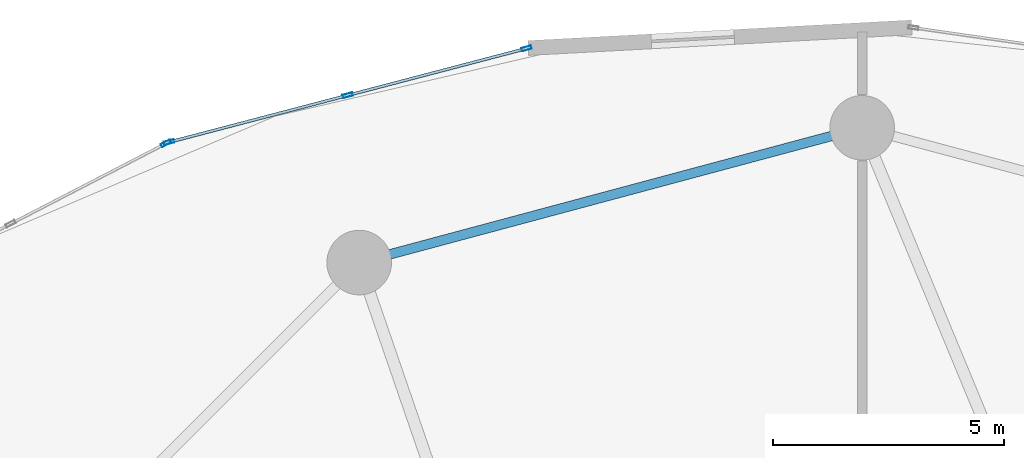
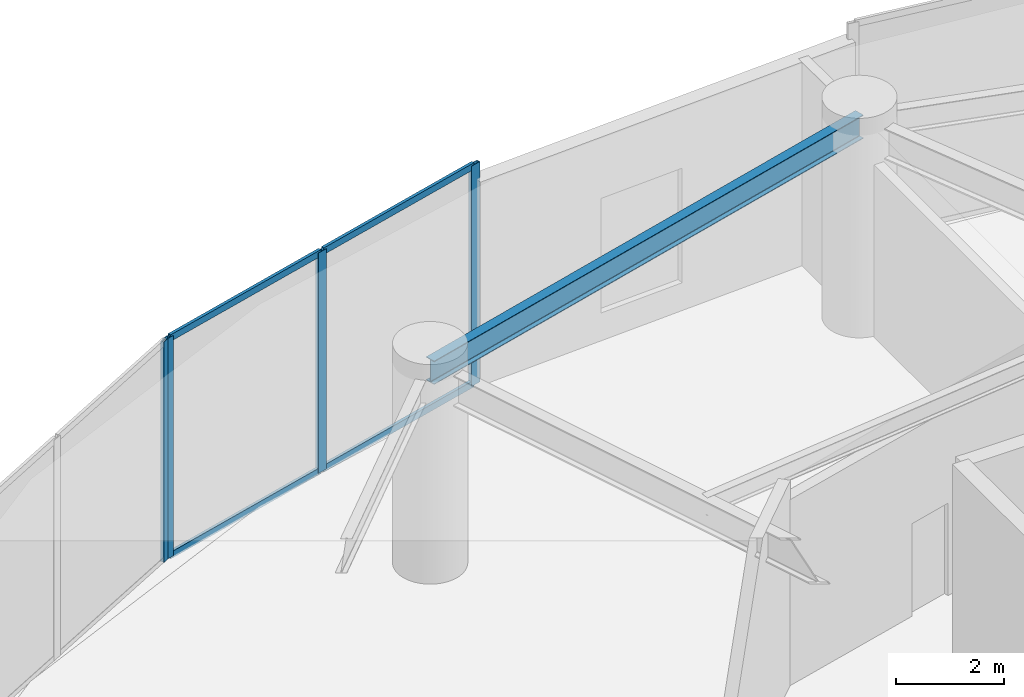
# One storey, part 18 of 31: 8 members, 1 beam, 2 elements without a shape of their own.
"""IFC4 building model written with IfcOpenShell, lengths in metres."""

from ifc_helpers import new_model, si_unit, direction, frame, origin, origin_2d, place, context, subcontext, project, spatial, hollow_rectangle, i_section, extrude, source, transform, mapped, material, layer, layer_set, material_profile, profile_set, type_object, element, aggregate, save


model = new_model("IFC4")

# Units and contexts
model_context = context("Model", 3, precision=1e-05, world=origin(), true_north=direction((0.0, 1.0)))
body_context = subcontext(model_context, "Body", "Model", "MODEL_VIEW")
ifc_project = project(units=[si_unit("LENGTHUNIT", "METRE"), si_unit("AREAUNIT", "SQUARE_METRE"), si_unit("VOLUMEUNIT", "CUBIC_METRE"), si_unit("PLANEANGLEUNIT", "RADIAN"), si_unit("MASSUNIT", "GRAM", prefix="KILO")], contexts=[model_context])

# Site, building, storey
site_placement = place(None, origin())
site = spatial("IfcSite", under=ifc_project, at=site_placement, CompositionType="ELEMENT")
building_placement = place(site_placement, origin())
building = spatial("IfcBuilding", under=site, at=building_placement, Name="Solvirekh Grand Hotel", CompositionType="ELEMENT")
storey_placement = place(building_placement, frame((0.0, 0.0, 18.60009765625)))
storey = spatial("IfcBuildingStorey", under=building, at=storey_placement, Name="L03", CompositionType="ELEMENT", Elevation=18.60009765625)

# Beam
ifc_material_1 = material(Name="Steel S355", Category="steel")
ifc_material_profile_1 = material_profile(ifc_material_1, i_section(OverallWidth=0.208984375, OverallDepth=0.532958984375, WebThickness=0.010009765625, FlangeThickness=0.014892578125, FilletRadius=0.013916015625, at=origin_2d()), Name="W530X92")
ifc_profile_set_1 = profile_set([ifc_material_profile_1], Name="Steel S355")
beam_type = type_object("IfcBeamType", Name="Spandrel_Ring_W530", PredefinedType="SPANDREL", material=ifc_profile_set_1)
beam_placement = place(storey_placement, frame((0.0, 21.800048828125, 4.372802734375), z_axis=(-0.965914248703, -0.258862249378, 0.0), x_axis=(0.258862249378, -0.965914248703, 0.0)))
element("IfcBeam", 1, at=beam_placement, inside=storey, type_object=beam_type, Name="L03 perimeter spandrel beam 4", PredefinedType="SPANDREL", context=body_context, shape_type="SweptSolid", body=[
    extrude(i_section(OverallWidth=0.208984375, OverallDepth=0.532958984375, WebThickness=0.010009765625, FlangeThickness=0.014892578125, FilletRadius=0.013916015625, at=origin_2d()), origin(), (0.0, 0.0, 1.0), 11.284423828125),
])

# Curtain wall, members
ifc_material_2 = material(Name="Anodized Bronze Aluminium 6063-T6", Category="aluminium")
ifc_layer = layer(ifc_material_2, 0.219970703125)
ifc_layer_set = layer_set([ifc_layer], Name="Anodized Bronze Aluminium 6063-T6")
curtain_wall_type = type_object("IfcCurtainWallType", Name="CW_Sys1_PodiumBronzeUnitised", PredefinedType="NOTDEFINED", material=ifc_layer_set)
curtain_wall_1_placement = place(storey_placement, origin())
curtain_wall_1 = element("IfcCurtainWall", 2, at=curtain_wall_1_placement, inside=storey, type_object=curtain_wall_type, Name="L03 unitised bronze-glass curtain wall CW-L03-C08", PredefinedType="NOTDEFINED")
ifc_material_profile_2 = material_profile(ifc_material_2, hollow_rectangle(XDim=0.06494140625, YDim=0.14990234375, WallThickness=0.0048828125, at=origin_2d()), Name="ALU RHS 150X65X5")
ifc_profile_set_2 = profile_set([ifc_material_profile_2], Name="Anodized Bronze Aluminium 6063-T6")
member_type_1 = type_object("IfcMemberType", Name="CWTransom_Sys1", PredefinedType="USERDEFINED", material=ifc_profile_set_2)
shared_shape_1 = source(origin(), body_context, "Body", "SweptSolid", [
    extrude(hollow_rectangle(XDim=0.06494140625, YDim=0.14990234375, WallThickness=0.0048828125, at=origin_2d()), origin(), (0.0, 0.0, 1.0), 3.928466796875),
])
member_1_placement = place(storey_placement, frame((-11.183349609375, 22.494384765625, 0.032470703125), z_axis=(-0.967304371977, -0.253618319437, 0.0), x_axis=(0.253618319437, -0.967304371977, 0.0)))
member_1 = element("IfcMember", 3, at=member_1_placement, type_object=member_type_1, Name="U01 transom 2.1", ObjectType="TRANSOM", PredefinedType="USERDEFINED", context=body_context, shape_type="MappedRepresentation", body=[
    mapped(shared_shape_1, transform((0.0, 0.0, 0.0), x_axis=(1.0, 0.0, 0.0), y_axis=(0.0, 1.0, 0.0), z_axis=(0.0, 0.0, 1.0), scale=1.0)),
])
member_2_placement = place(storey_placement, frame((-11.183349609375, 22.494384765625, 4.96728515625), z_axis=(-0.967304371977, -0.253618319437, 0.0), x_axis=(0.253618319437, -0.967304371977, 0.0)))
member_2 = element("IfcMember", 4, at=member_2_placement, type_object=member_type_1, Name="U01 transom 2.2", ObjectType="TRANSOM", PredefinedType="USERDEFINED", context=body_context, shape_type="MappedRepresentation", body=[
    mapped(shared_shape_1, transform((0.0, 0.0, 0.0), x_axis=(1.0, 0.0, 0.0), y_axis=(0.0, 1.0, 0.0), z_axis=(0.0, 0.0, 1.0), scale=1.0)),
])
ifc_material_profile_3 = material_profile(ifc_material_2, hollow_rectangle(XDim=0.074951171875, YDim=0.219970703125, WallThickness=0.006103515625, at=origin_2d()), Name="ALU RHS 220X75X6")
ifc_profile_set_3 = profile_set([ifc_material_profile_3], Name="Anodized Bronze Aluminium 6063-T6")
member_type_2 = type_object("IfcMemberType", Name="CWMullion_Sys1", PredefinedType="MULLION", material=ifc_profile_set_3)
shared_shape_2 = source(origin(), body_context, "Body", "SweptSolid", [
    extrude(hollow_rectangle(XDim=0.074951171875, YDim=0.219970703125, WallThickness=0.006103515625, at=origin_2d()), origin(), (0.0, 0.0, 1.0), 5.0),
])
member_3_placement = place(storey_placement, frame((-7.274169921875, 23.51953125, 0.0), z_axis=(0.0, 0.0, 1.0), x_axis=(0.253640573146, -0.967298536985, 0.0)))
member_3 = element("IfcMember", 5, at=member_3_placement, type_object=member_type_2, Name="U01 mullion 1", PredefinedType="MULLION", context=body_context, shape_type="MappedRepresentation", body=[
    mapped(shared_shape_2, transform((0.0, 0.0, 0.0), x_axis=(1.0, 0.0, 0.0), y_axis=(0.0, 1.0, 0.0), z_axis=(0.0, 0.0, 1.0), scale=1.0)),
])
member_4_placement = place(storey_placement, frame((-11.14697265625, 22.50390625, 0.0), z_axis=(0.0, 0.0, 1.0), x_axis=(0.253640573146, -0.967298536985, 0.0)))
member_4 = element("IfcMember", 6, at=member_4_placement, type_object=member_type_2, Name="U01 mullion 2", PredefinedType="MULLION", context=body_context, shape_type="MappedRepresentation", body=[
    mapped(shared_shape_2, transform((0.0, 0.0, 0.0), x_axis=(1.0, 0.0, 0.0), y_axis=(0.0, 1.0, 0.0), z_axis=(0.0, 0.0, 1.0), scale=1.0)),
])
member_5_placement = place(storey_placement, frame((-15.019775390625, 21.488525390625, 0.0), z_axis=(0.0, 0.0, 1.0), x_axis=(0.253640573146, -0.967298536985, 0.0)))
member_5 = element("IfcMember", 7, at=member_5_placement, type_object=member_type_2, Name="U01 mullion 3", PredefinedType="MULLION", context=body_context, shape_type="MappedRepresentation", body=[
    mapped(shared_shape_2, transform((0.0, 0.0, 0.0), x_axis=(1.0, 0.0, 0.0), y_axis=(0.0, 1.0, 0.0), z_axis=(0.0, 0.0, 1.0), scale=1.0)),
])

# Curtain wall, member
curtain_wall_2_placement = place(storey_placement, origin())
curtain_wall_2 = element("IfcCurtainWall", 8, at=curtain_wall_2_placement, inside=storey, type_object=curtain_wall_type, Name="L03 unitised bronze-glass curtain wall CW-L03-C09", PredefinedType="NOTDEFINED")
member_6_placement = place(storey_placement, frame((-15.08935546875, 21.461669921875, 0.0), z_axis=(0.0, 0.0, 1.0), x_axis=(0.459671936443, -0.888088796713, 0.0)))
member_6 = element("IfcMember", 9, at=member_6_placement, type_object=member_type_2, Name="U01 mullion 1", PredefinedType="MULLION", context=body_context, shape_type="MappedRepresentation", body=[
    mapped(shared_shape_2, transform((0.0, 0.0, 0.0), x_axis=(1.0, 0.0, 0.0), y_axis=(0.0, 1.0, 0.0), z_axis=(0.0, 0.0, 1.0), scale=1.0)),
])
aggregate(curtain_wall_2, [member_6])

# Member
shared_shape_3 = source(origin(), body_context, "Body", "SweptSolid", [
    extrude(hollow_rectangle(XDim=0.06494140625, YDim=0.14990234375, WallThickness=0.0048828125, at=origin_2d()), origin(), (0.0, 0.0, 1.0), 3.9287109375),
])
member_7_placement = place(storey_placement, frame((-7.310546875, 23.510009765625, 0.032470703125), z_axis=(-0.967293123192, -0.253661218609, 0.0), x_axis=(0.253661218609, -0.967293123192, 0.0)))
member_7 = element("IfcMember", 10, at=member_7_placement, type_object=member_type_1, Name="U01 transom 1.1", ObjectType="TRANSOM", PredefinedType="USERDEFINED", context=body_context, shape_type="MappedRepresentation", body=[
    mapped(shared_shape_3, transform((0.0, 0.0, 0.0), x_axis=(1.0, 0.0, 0.0), y_axis=(0.0, 1.0, 0.0), z_axis=(0.0, 0.0, 1.0), scale=1.0)),
])

member_8_placement = place(storey_placement, frame((-7.310546875, 23.510009765625, 4.96728515625), z_axis=(-0.967293123192, -0.253661218609, 0.0), x_axis=(0.253661218609, -0.967293123192, 0.0)))
member_8 = element("IfcMember", 11, at=member_8_placement, type_object=member_type_1, Name="U01 transom 1.2", ObjectType="TRANSOM", PredefinedType="USERDEFINED", context=body_context, shape_type="MappedRepresentation", body=[
    mapped(shared_shape_3, transform((0.0, 0.0, 0.0), x_axis=(1.0, 0.0, 0.0), y_axis=(0.0, 1.0, 0.0), z_axis=(0.0, 0.0, 1.0), scale=1.0)),
])

aggregate(curtain_wall_1, [member_3, member_4, member_5, member_7, member_8, member_1, member_2])

save(model, "model.ifc")
